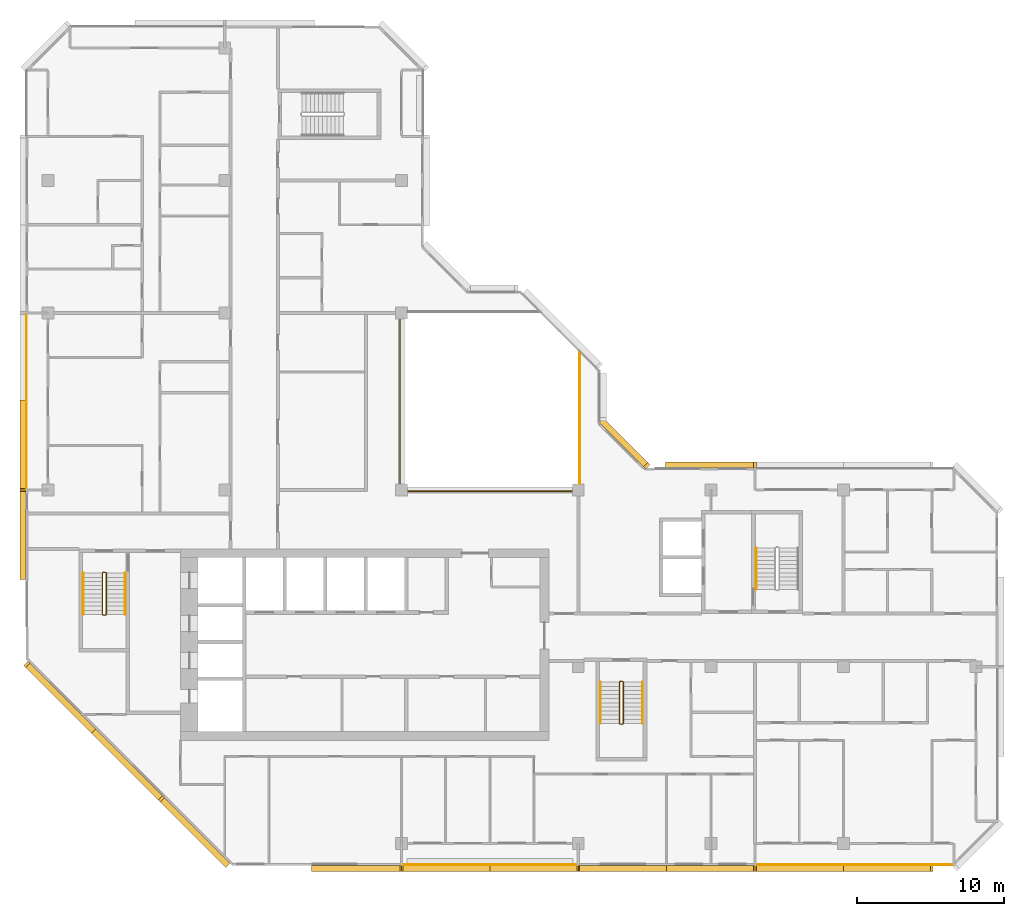
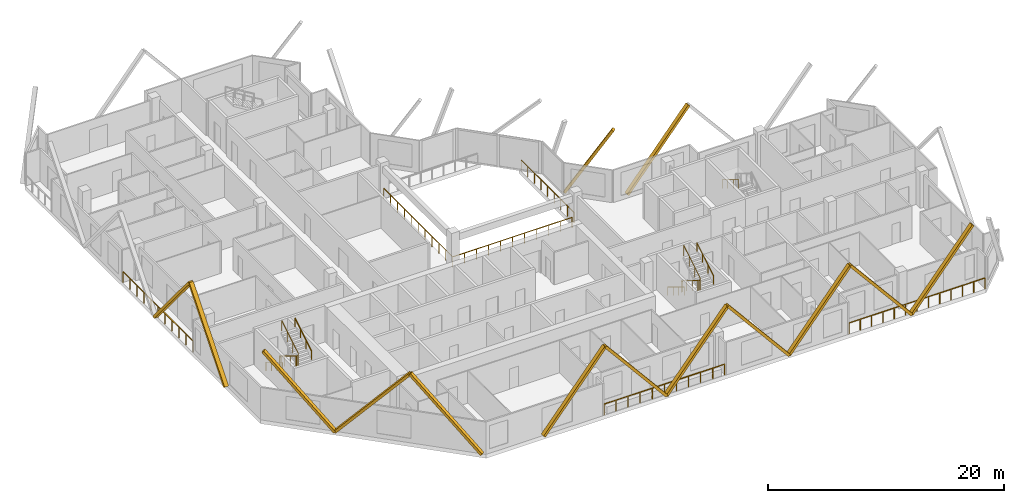
# One storey, part 12 of 13: 14 coverings, 12 railings.
"""IFC4 building model written with IfcOpenShell, lengths in metres."""

from ifc_helpers import new_model, si_unit, direction, frame, origin, origin_2d, place, context, subcontext, project, spatial, rectangle, extrude, material, material_profile, profile_set, type_object, element, save


model = new_model("IFC4")

# Units and contexts
model_context = context("Model", 3, precision=1e-05, world=origin(), true_north=direction((0.0, 1.0)))
body_context = subcontext(model_context, "Body", "Model", "MODEL_VIEW")
ifc_project = project(units=[si_unit("LENGTHUNIT", "METRE"), si_unit("AREAUNIT", "SQUARE_METRE"), si_unit("VOLUMEUNIT", "CUBIC_METRE"), si_unit("PLANEANGLEUNIT", "RADIAN"), si_unit("MASSUNIT", "GRAM", prefix="KILO")], contexts=[model_context])

# Site, building, storey
site_placement = place(None, origin())
site = spatial("IfcSite", under=ifc_project, at=site_placement, CompositionType="ELEMENT")
building_placement = place(site_placement, origin())
building = spatial("IfcBuilding", under=site, at=building_placement, Name="Chenar Terraces", CompositionType="ELEMENT")
storey_placement = place(building_placement, frame((0.0, 0.0, 288.39990234375)))
storey = spatial("IfcBuildingStorey", under=building, at=storey_placement, Name="L67", CompositionType="ELEMENT", Elevation=288.39990234375)

# Railings
ifc_material_1 = material(Name="Powder-coated steel", Category="steel")
railing_type_1 = type_object("IfcRailingType", Name="Guard 1100 steel rail with glass infill", PredefinedType="GUARDRAIL", material=ifc_material_1)
railing_1_placement = place(storey_placement, frame((23.89990234375, 35.60009765625, 0.0)))
element("IfcRailing", 1, at=railing_1_placement, inside=storey, type_object=railing_type_1, Name="Guard L67-1", PredefinedType="GUARDRAIL", context=body_context, shape_type="SweptSolid", body=[
    extrude(rectangle(XDim=0.06005859375, YDim=0.06005859375, at=origin_2d()), frame((0.0, 0.0, 1.070068359375), z_axis=(0.0, -1.0, 0.0), x_axis=(1.0, 0.0, 0.0)), (0.0, 0.0, 1.0), 11.7001953125),
    extrude(rectangle(XDim=0.06005859375, YDim=0.06005859375, at=origin_2d()), frame((0.0, -11.7001953125, 1.070068359375), z_axis=(1.0, 0.0, 0.0), x_axis=(0.0, 1.0, 0.0)), (0.0, 0.0, 1.0), 11.7001953125),
    extrude(rectangle(XDim=0.050048828125, YDim=0.050048828125, at=origin_2d()), origin(), (0.0, 0.0, 1.0), 1.0400390625),
    extrude(rectangle(XDim=0.050048828125, YDim=0.050048828125, at=origin_2d()), frame((0.0, -1.169921875, 0.0)), (0.0, 0.0, 1.0), 1.0400390625),
    extrude(rectangle(XDim=0.050048828125, YDim=0.050048828125, at=origin_2d()), frame((0.0, -2.340087890625, 0.0)), (0.0, 0.0, 1.0), 1.0400390625),
    extrude(rectangle(XDim=0.050048828125, YDim=0.050048828125, at=origin_2d()), frame((0.0, -3.510009765625, 0.0)), (0.0, 0.0, 1.0), 1.0400390625),
    extrude(rectangle(XDim=0.050048828125, YDim=0.050048828125, at=origin_2d()), frame((0.0, -4.68017578125, 0.0)), (0.0, 0.0, 1.0), 1.0400390625),
    extrude(rectangle(XDim=0.050048828125, YDim=0.050048828125, at=origin_2d()), frame((0.0, -5.85009765625, 0.0)), (0.0, 0.0, 1.0), 1.0400390625),
    extrude(rectangle(XDim=0.050048828125, YDim=0.050048828125, at=origin_2d()), frame((0.0, -7.02001953125, 0.0)), (0.0, 0.0, 1.0), 1.0400390625),
    extrude(rectangle(XDim=0.050048828125, YDim=0.050048828125, at=origin_2d()), frame((0.0, -8.190185546875, 0.0)), (0.0, 0.0, 1.0), 1.0400390625),
    extrude(rectangle(XDim=0.050048828125, YDim=0.050048828125, at=origin_2d()), frame((0.0, -9.360107421875, 0.0)), (0.0, 0.0, 1.0), 1.0400390625),
    extrude(rectangle(XDim=0.050048828125, YDim=0.050048828125, at=origin_2d()), frame((0.0, -10.5302734375, 0.0)), (0.0, 0.0, 1.0), 1.0400390625),
    extrude(rectangle(XDim=0.050048828125, YDim=0.050048828125, at=origin_2d()), frame((0.0, -11.7001953125, 0.0)), (0.0, 0.0, 1.0), 1.0400390625),
    extrude(rectangle(XDim=0.050048828125, YDim=0.050048828125, at=origin_2d()), frame((1.169921875, -11.7001953125, 0.0)), (0.0, 0.0, 1.0), 1.0400390625),
    extrude(rectangle(XDim=0.050048828125, YDim=0.050048828125, at=origin_2d()), frame((2.340087890625, -11.7001953125, 0.0)), (0.0, 0.0, 1.0), 1.0400390625),
    extrude(rectangle(XDim=0.050048828125, YDim=0.050048828125, at=origin_2d()), frame((3.510009765625, -11.7001953125, 0.0)), (0.0, 0.0, 1.0), 1.0400390625),
    extrude(rectangle(XDim=0.050048828125, YDim=0.050048828125, at=origin_2d()), frame((4.68017578125, -11.7001953125, 0.0)), (0.0, 0.0, 1.0), 1.0400390625),
    extrude(rectangle(XDim=0.050048828125, YDim=0.050048828125, at=origin_2d()), frame((5.85009765625, -11.7001953125, 0.0)), (0.0, 0.0, 1.0), 1.0400390625),
    extrude(rectangle(XDim=0.050048828125, YDim=0.050048828125, at=origin_2d()), frame((7.02001953125, -11.7001953125, 0.0)), (0.0, 0.0, 1.0), 1.0400390625),
    extrude(rectangle(XDim=0.050048828125, YDim=0.050048828125, at=origin_2d()), frame((8.190185546875, -11.7001953125, 0.0)), (0.0, 0.0, 1.0), 1.0400390625),
    extrude(rectangle(XDim=0.050048828125, YDim=0.050048828125, at=origin_2d()), frame((9.360107421875, -11.7001953125, 0.0)), (0.0, 0.0, 1.0), 1.0400390625),
    extrude(rectangle(XDim=0.050048828125, YDim=0.050048828125, at=origin_2d()), frame((10.5302734375, -11.7001953125, 0.0)), (0.0, 0.0, 1.0), 1.0400390625),
    extrude(rectangle(XDim=0.050048828125, YDim=0.050048828125, at=origin_2d()), frame((11.7001953125, -11.7001953125, 0.0)), (0.0, 0.0, 1.0), 1.0400390625),
])
railing_2_placement = place(storey_placement, frame((36.10009765625, 24.449951171875, 0.0)))
element("IfcRailing", 2, at=railing_2_placement, inside=storey, type_object=railing_type_1, Name="Guard L67-3", PredefinedType="GUARDRAIL", context=body_context, shape_type="SweptSolid", body=[
    extrude(rectangle(XDim=0.06005859375, YDim=0.06005859375, at=origin_2d()), frame((0.0, 0.0, 1.070068359375), z_axis=(0.0, 1.0, 0.0), x_axis=(-1.0, 0.0, 0.0)), (0.0, 0.0, 1.0), 8.949951171875),
    extrude(rectangle(XDim=0.050048828125, YDim=0.050048828125, at=origin_2d()), origin(), (0.0, 0.0, 1.0), 1.0400390625),
    extrude(rectangle(XDim=0.050048828125, YDim=0.050048828125, at=origin_2d()), frame((0.0, 1.11865234375, 0.0)), (0.0, 0.0, 1.0), 1.0400390625),
    extrude(rectangle(XDim=0.050048828125, YDim=0.050048828125, at=origin_2d()), frame((0.0, 2.237548828125, 0.0)), (0.0, 0.0, 1.0), 1.0400390625),
    extrude(rectangle(XDim=0.050048828125, YDim=0.050048828125, at=origin_2d()), frame((0.0, 3.356201171875, 0.0)), (0.0, 0.0, 1.0), 1.0400390625),
    extrude(rectangle(XDim=0.050048828125, YDim=0.050048828125, at=origin_2d()), frame((0.0, 4.47509765625, 0.0)), (0.0, 0.0, 1.0), 1.0400390625),
    extrude(rectangle(XDim=0.050048828125, YDim=0.050048828125, at=origin_2d()), frame((0.0, 5.59375, 0.0)), (0.0, 0.0, 1.0), 1.0400390625),
    extrude(rectangle(XDim=0.050048828125, YDim=0.050048828125, at=origin_2d()), frame((0.0, 6.71240234375, 0.0)), (0.0, 0.0, 1.0), 1.0400390625),
    extrude(rectangle(XDim=0.050048828125, YDim=0.050048828125, at=origin_2d()), frame((0.0, 7.831298828125, 0.0)), (0.0, 0.0, 1.0), 1.0400390625),
    extrude(rectangle(XDim=0.050048828125, YDim=0.050048828125, at=origin_2d()), frame((0.0, 8.949951171875, 0.0)), (0.0, 0.0, 1.0), 1.0400390625),
])
ifc_material_2 = material(Name="Stainless steel and glass", Category="steel")
railing_type_2 = type_object("IfcRailingType", Name="Loggia guard 1150", PredefinedType="GUARDRAIL", material=ifc_material_2)
railing_3_placement = place(storey_placement, frame((24.074951171875, -1.449951171875, 0.0)))
element("IfcRailing", 3, at=railing_3_placement, inside=storey, type_object=railing_type_2, Name="Loggia guard", PredefinedType="GUARDRAIL", context=body_context, shape_type="SweptSolid", body=[
    extrude(rectangle(XDim=0.048095703125, YDim=0.048095703125, at=origin_2d()), frame((0.0, 0.0, 1.1259765625), z_axis=(1.0, 0.0, 0.0), x_axis=(0.0, 1.0, 0.0)), (0.0, 0.0, 1.0), 11.85009765625),
    extrude(rectangle(XDim=0.0419921875, YDim=0.0419921875, at=origin_2d()), origin(), (0.0, 0.0, 1.0), 1.101806640625),
    extrude(rectangle(XDim=0.0419921875, YDim=0.0419921875, at=origin_2d()), frame((1.18505859375, 0.0, 0.0)), (0.0, 0.0, 1.0), 1.101806640625),
    extrude(rectangle(XDim=0.0419921875, YDim=0.0419921875, at=origin_2d()), frame((2.3701171875, 0.0, 0.0)), (0.0, 0.0, 1.0), 1.101806640625),
    extrude(rectangle(XDim=0.0419921875, YDim=0.0419921875, at=origin_2d()), frame((3.554931640625, 0.0, 0.0)), (0.0, 0.0, 1.0), 1.101806640625),
    extrude(rectangle(XDim=0.0419921875, YDim=0.0419921875, at=origin_2d()), frame((4.739990234375, 0.0, 0.0)), (0.0, 0.0, 1.0), 1.101806640625),
    extrude(rectangle(XDim=0.0419921875, YDim=0.0419921875, at=origin_2d()), frame((5.925048828125, 0.0, 0.0)), (0.0, 0.0, 1.0), 1.101806640625),
    extrude(rectangle(XDim=0.0419921875, YDim=0.0419921875, at=origin_2d()), frame((7.110107421875, 0.0, 0.0)), (0.0, 0.0, 1.0), 1.101806640625),
    extrude(rectangle(XDim=0.0419921875, YDim=0.0419921875, at=origin_2d()), frame((8.295166015625, 0.0, 0.0)), (0.0, 0.0, 1.0), 1.101806640625),
    extrude(rectangle(XDim=0.0419921875, YDim=0.0419921875, at=origin_2d()), frame((9.47998046875, 0.0, 0.0)), (0.0, 0.0, 1.0), 1.101806640625),
    extrude(rectangle(XDim=0.0419921875, YDim=0.0419921875, at=origin_2d()), frame((10.6650390625, 0.0, 0.0)), (0.0, 0.0, 1.0), 1.101806640625),
    extrude(rectangle(XDim=0.0419921875, YDim=0.0419921875, at=origin_2d()), frame((11.85009765625, 0.0, 0.0)), (0.0, 0.0, 1.0), 1.101806640625),
])
railing_4_placement = place(storey_placement, frame((48.074951171875, -1.449951171875, 0.0)))
element("IfcRailing", 4, at=railing_4_placement, inside=storey, type_object=railing_type_2, Name="Loggia guard", PredefinedType="GUARDRAIL", context=body_context, shape_type="SweptSolid", body=[
    extrude(rectangle(XDim=0.048095703125, YDim=0.048095703125, at=origin_2d()), frame((0.0, 0.0, 1.1259765625), z_axis=(1.0, 0.0, 0.0), x_axis=(0.0, 1.0, 0.0)), (0.0, 0.0, 1.0), 13.35009765625),
    extrude(rectangle(XDim=0.0419921875, YDim=0.0419921875, at=origin_2d()), origin(), (0.0, 0.0, 1.0), 1.101806640625),
    extrude(rectangle(XDim=0.0419921875, YDim=0.0419921875, at=origin_2d()), frame((1.112548828125, 0.0, 0.0)), (0.0, 0.0, 1.0), 1.101806640625),
    extrude(rectangle(XDim=0.0419921875, YDim=0.0419921875, at=origin_2d()), frame((2.22509765625, 0.0, 0.0)), (0.0, 0.0, 1.0), 1.101806640625),
    extrude(rectangle(XDim=0.0419921875, YDim=0.0419921875, at=origin_2d()), frame((3.33740234375, 0.0, 0.0)), (0.0, 0.0, 1.0), 1.101806640625),
    extrude(rectangle(XDim=0.0419921875, YDim=0.0419921875, at=origin_2d()), frame((4.449951171875, 0.0, 0.0)), (0.0, 0.0, 1.0), 1.101806640625),
    extrude(rectangle(XDim=0.0419921875, YDim=0.0419921875, at=origin_2d()), frame((5.5625, 0.0, 0.0)), (0.0, 0.0, 1.0), 1.101806640625),
    extrude(rectangle(XDim=0.0419921875, YDim=0.0419921875, at=origin_2d()), frame((6.675048828125, 0.0, 0.0)), (0.0, 0.0, 1.0), 1.101806640625),
    extrude(rectangle(XDim=0.0419921875, YDim=0.0419921875, at=origin_2d()), frame((7.78759765625, 0.0, 0.0)), (0.0, 0.0, 1.0), 1.101806640625),
    extrude(rectangle(XDim=0.0419921875, YDim=0.0419921875, at=origin_2d()), frame((8.900146484375, 0.0, 0.0)), (0.0, 0.0, 1.0), 1.101806640625),
    extrude(rectangle(XDim=0.0419921875, YDim=0.0419921875, at=origin_2d()), frame((10.0126953125, 0.0, 0.0)), (0.0, 0.0, 1.0), 1.101806640625),
    extrude(rectangle(XDim=0.0419921875, YDim=0.0419921875, at=origin_2d()), frame((11.125, 0.0, 0.0)), (0.0, 0.0, 1.0), 1.101806640625),
    extrude(rectangle(XDim=0.0419921875, YDim=0.0419921875, at=origin_2d()), frame((12.237548828125, 0.0, 0.0)), (0.0, 0.0, 1.0), 1.101806640625),
    extrude(rectangle(XDim=0.0419921875, YDim=0.0419921875, at=origin_2d()), frame((13.35009765625, 0.0, 0.0)), (0.0, 0.0, 1.0), 1.101806640625),
])
railing_5_placement = place(storey_placement, frame((-1.449951171875, 35.925048828125, 0.0)))
element("IfcRailing", 5, at=railing_5_placement, inside=storey, type_object=railing_type_2, Name="Loggia guard", PredefinedType="GUARDRAIL", context=body_context, shape_type="SweptSolid", body=[
    extrude(rectangle(XDim=0.048095703125, YDim=0.048095703125, at=origin_2d()), frame((0.0, 0.0, 1.1259765625), z_axis=(0.0, -1.0, 0.0), x_axis=(1.0, 0.0, 0.0)), (0.0, 0.0, 1.0), 11.85009765625),
    extrude(rectangle(XDim=0.0419921875, YDim=0.0419921875, at=origin_2d()), origin(), (0.0, 0.0, 1.0), 1.101806640625),
    extrude(rectangle(XDim=0.0419921875, YDim=0.0419921875, at=origin_2d()), frame((0.0, -1.18505859375, 0.0)), (0.0, 0.0, 1.0), 1.101806640625),
    extrude(rectangle(XDim=0.0419921875, YDim=0.0419921875, at=origin_2d()), frame((0.0, -2.3701171875, 0.0)), (0.0, 0.0, 1.0), 1.101806640625),
    extrude(rectangle(XDim=0.0419921875, YDim=0.0419921875, at=origin_2d()), frame((0.0, -3.554931640625, 0.0)), (0.0, 0.0, 1.0), 1.101806640625),
    extrude(rectangle(XDim=0.0419921875, YDim=0.0419921875, at=origin_2d()), frame((0.0, -4.739990234375, 0.0)), (0.0, 0.0, 1.0), 1.101806640625),
    extrude(rectangle(XDim=0.0419921875, YDim=0.0419921875, at=origin_2d()), frame((0.0, -5.925048828125, 0.0)), (0.0, 0.0, 1.0), 1.101806640625),
    extrude(rectangle(XDim=0.0419921875, YDim=0.0419921875, at=origin_2d()), frame((0.0, -7.110107421875, 0.0)), (0.0, 0.0, 1.0), 1.101806640625),
    extrude(rectangle(XDim=0.0419921875, YDim=0.0419921875, at=origin_2d()), frame((0.0, -8.295166015625, 0.0)), (0.0, 0.0, 1.0), 1.101806640625),
    extrude(rectangle(XDim=0.0419921875, YDim=0.0419921875, at=origin_2d()), frame((0.0, -9.47998046875, 0.0)), (0.0, 0.0, 1.0), 1.101806640625),
    extrude(rectangle(XDim=0.0419921875, YDim=0.0419921875, at=origin_2d()), frame((0.0, -10.6650390625, 0.0)), (0.0, 0.0, 1.0), 1.101806640625),
    extrude(rectangle(XDim=0.0419921875, YDim=0.0419921875, at=origin_2d()), frame((0.0, -11.85009765625, 0.0)), (0.0, 0.0, 1.0), 1.101806640625),
])
ifc_material_3 = material(Name="Powder-coated steel", Category="steel")
railing_type_3 = type_object("IfcRailingType", Name="Stair guard 1100", PredefinedType="GUARDRAIL", material=ifc_material_3)
railing_6_placement = place(storey_placement, frame((3.949951171875, 18.35009765625, 3.75)))
element("IfcRailing", 6, at=railing_6_placement, inside=storey, type_object=railing_type_3, Name="L67 ST1 stair guard 1", PredefinedType="GUARDRAIL", context=body_context, shape_type="SweptSolid", body=[
    extrude(rectangle(XDim=0.048095703125, YDim=0.048095703125, at=origin_2d()), frame((0.0, 0.0, 1.076171875), z_axis=(0.0, -0.854202870247, -0.519939858505), x_axis=(1.0, 0.0, 0.0)), (0.0, 0.0, 1.0), 3.278076171875),
    extrude(rectangle(XDim=0.048095703125, YDim=0.048095703125, at=origin_2d()), frame((0.0, -2.800048828125, -0.62841796875), z_axis=(-0.270899902878, -0.270899902878, -0.923702595667), x_axis=(0.707106781187, -0.707106781187, 0.0)), (0.0, 0.0, 1.0), 0.184814453125),
    extrude(rectangle(XDim=0.048095703125, YDim=0.048095703125, at=origin_2d()), frame((-0.050048828125, -2.85009765625, -0.798828125), z_axis=(-1.0, 0.0, 0.0), x_axis=(0.0, -1.0, 0.0)), (0.0, 0.0, 1.0), 0.14990234375),
    extrude(rectangle(XDim=0.048095703125, YDim=0.048095703125, at=origin_2d()), frame((-0.199951171875, -2.85009765625, -0.798828125), z_axis=(-0.707106781187, 0.707106781187, 0.0), x_axis=(-0.707106781187, -0.707106781187, 0.0)), (0.0, 0.0, 1.0), 0.07080078125),
    extrude(rectangle(XDim=0.048095703125, YDim=0.048095703125, at=origin_2d()), frame((-0.25, -2.800048828125, -0.798828125), z_axis=(0.0, 0.854202870247, -0.519939858505), x_axis=(-1.0, 0.0, 0.0)), (0.0, 0.0, 1.0), 3.278076171875),
    extrude(rectangle(XDim=0.048095703125, YDim=0.048095703125, at=origin_2d()), frame((-0.25, 0.0, -2.50341796875), z_axis=(0.270996696079, 0.269674760976, -0.924032636873), x_axis=(-0.705375805398, 0.708833529934, 0.0)), (0.0, 0.0, 1.0), 0.1845703125),
    extrude(rectangle(XDim=0.048095703125, YDim=0.048095703125, at=origin_2d()), frame((-0.199951171875, 0.0498046875, -2.673828125), z_axis=(1.0, 0.0, 0.0), x_axis=(0.0, 1.0, 0.0)), (0.0, 0.0, 1.0), 0.14990234375),
    extrude(rectangle(XDim=0.0419921875, YDim=0.0419921875, at=origin_2d()), origin(), (0.0, 0.0, 1.0), 1.052001953125),
    extrude(rectangle(XDim=0.0419921875, YDim=0.0419921875, at=origin_2d()), frame((0.0, -0.933349609375, -0.568115234375)), (0.0, 0.0, 1.0), 1.052001953125),
    extrude(rectangle(XDim=0.0419921875, YDim=0.0419921875, at=origin_2d()), frame((0.0, -1.86669921875, -1.13623046875)), (0.0, 0.0, 1.0), 1.052001953125),
    extrude(rectangle(XDim=0.0419921875, YDim=0.0419921875, at=origin_2d()), frame((0.0, -2.800048828125, -1.704345703125)), (0.0, 0.0, 1.0), 1.052001953125),
    extrude(rectangle(XDim=0.0419921875, YDim=0.0419921875, at=origin_2d()), frame((-0.050048828125, -2.85009765625, -1.875)), (0.0, 0.0, 1.0), 1.052001953125),
    extrude(rectangle(XDim=0.0419921875, YDim=0.0419921875, at=origin_2d()), frame((-0.199951171875, -2.85009765625, -1.875)), (0.0, 0.0, 1.0), 1.052001953125),
    extrude(rectangle(XDim=0.0419921875, YDim=0.0419921875, at=origin_2d()), frame((-0.25, -2.800048828125, -1.875)), (0.0, 0.0, 1.0), 1.052001953125),
    extrude(rectangle(XDim=0.0419921875, YDim=0.0419921875, at=origin_2d()), frame((-0.25, -1.86669921875, -2.443115234375)), (0.0, 0.0, 1.0), 1.052001953125),
    extrude(rectangle(XDim=0.0419921875, YDim=0.0419921875, at=origin_2d()), frame((-0.25, -0.933349609375, -3.01123046875)), (0.0, 0.0, 1.0), 1.052001953125),
    extrude(rectangle(XDim=0.0419921875, YDim=0.0419921875, at=origin_2d()), frame((-0.25, 0.0, -3.579345703125)), (0.0, 0.0, 1.0), 1.052001953125),
    extrude(rectangle(XDim=0.0419921875, YDim=0.0419921875, at=origin_2d()), frame((-0.199951171875, 0.0498046875, -3.75)), (0.0, 0.0, 1.0), 1.052001953125),
    extrude(rectangle(XDim=0.0419921875, YDim=0.0419921875, at=origin_2d()), frame((-0.050048828125, 0.0498046875, -3.75)), (0.0, 0.0, 1.0), 1.052001953125),
])
railing_7_placement = place(storey_placement, frame((39.050048828125, 10.949951171875, 3.75)))
element("IfcRailing", 7, at=railing_7_placement, inside=storey, type_object=railing_type_3, Name="L67 ST2 stair guard 1", PredefinedType="GUARDRAIL", context=body_context, shape_type="SweptSolid", body=[
    extrude(rectangle(XDim=0.048095703125, YDim=0.048095703125, at=origin_2d()), frame((0.0, 0.0, 1.076171875), z_axis=(0.0, -0.854202870247, -0.519939858505), x_axis=(1.0, 0.0, 0.0)), (0.0, 0.0, 1.0), 3.278076171875),
    extrude(rectangle(XDim=0.048095703125, YDim=0.048095703125, at=origin_2d()), frame((0.0, -2.800048828125, -0.62841796875), z_axis=(-0.270996696079, -0.269674760976, -0.924032636873), x_axis=(0.705375805398, -0.708833529934, 0.0)), (0.0, 0.0, 1.0), 0.1845703125),
    extrude(rectangle(XDim=0.048095703125, YDim=0.048095703125, at=origin_2d()), frame((-0.050048828125, -2.849853515625, -0.798828125), z_axis=(-1.0, 0.0, 0.0), x_axis=(0.0, -1.0, 0.0)), (0.0, 0.0, 1.0), 0.14990234375),
    extrude(rectangle(XDim=0.048095703125, YDim=0.048095703125, at=origin_2d()), frame((-0.199951171875, -2.849853515625, -0.798828125), z_axis=(-0.708833529934, 0.705375805398, 0.0), x_axis=(-0.705375805398, -0.708833529934, 0.0)), (0.0, 0.0, 1.0), 0.070556640625),
    extrude(rectangle(XDim=0.048095703125, YDim=0.048095703125, at=origin_2d()), frame((-0.25, -2.800048828125, -0.798828125), z_axis=(0.0, 0.854202870247, -0.519939858505), x_axis=(-1.0, 0.0, 0.0)), (0.0, 0.0, 1.0), 3.278076171875),
    extrude(rectangle(XDim=0.048095703125, YDim=0.048095703125, at=origin_2d()), frame((-0.25, 0.0, -2.50341796875), z_axis=(0.270899902878, 0.270899902878, -0.923702595667), x_axis=(-0.707106781187, 0.707106781187, 0.0)), (0.0, 0.0, 1.0), 0.184814453125),
    extrude(rectangle(XDim=0.048095703125, YDim=0.048095703125, at=origin_2d()), frame((-0.199951171875, 0.050048828125, -2.673828125), z_axis=(1.0, 0.0, 0.0), x_axis=(0.0, 1.0, 0.0)), (0.0, 0.0, 1.0), 0.14990234375),
    extrude(rectangle(XDim=0.0419921875, YDim=0.0419921875, at=origin_2d()), origin(), (0.0, 0.0, 1.0), 1.052001953125),
    extrude(rectangle(XDim=0.0419921875, YDim=0.0419921875, at=origin_2d()), frame((0.0, -0.933349609375, -0.568115234375)), (0.0, 0.0, 1.0), 1.052001953125),
    extrude(rectangle(XDim=0.0419921875, YDim=0.0419921875, at=origin_2d()), frame((0.0, -1.86669921875, -1.13623046875)), (0.0, 0.0, 1.0), 1.052001953125),
    extrude(rectangle(XDim=0.0419921875, YDim=0.0419921875, at=origin_2d()), frame((0.0, -2.800048828125, -1.704345703125)), (0.0, 0.0, 1.0), 1.052001953125),
    extrude(rectangle(XDim=0.0419921875, YDim=0.0419921875, at=origin_2d()), frame((-0.050048828125, -2.849853515625, -1.875)), (0.0, 0.0, 1.0), 1.052001953125),
    extrude(rectangle(XDim=0.0419921875, YDim=0.0419921875, at=origin_2d()), frame((-0.199951171875, -2.849853515625, -1.875)), (0.0, 0.0, 1.0), 1.052001953125),
    extrude(rectangle(XDim=0.0419921875, YDim=0.0419921875, at=origin_2d()), frame((-0.25, -2.800048828125, -1.875)), (0.0, 0.0, 1.0), 1.052001953125),
    extrude(rectangle(XDim=0.0419921875, YDim=0.0419921875, at=origin_2d()), frame((-0.25, -1.86669921875, -2.443115234375)), (0.0, 0.0, 1.0), 1.052001953125),
    extrude(rectangle(XDim=0.0419921875, YDim=0.0419921875, at=origin_2d()), frame((-0.25, -0.933349609375, -3.01123046875)), (0.0, 0.0, 1.0), 1.052001953125),
    extrude(rectangle(XDim=0.0419921875, YDim=0.0419921875, at=origin_2d()), frame((-0.25, 0.0, -3.579345703125)), (0.0, 0.0, 1.0), 1.052001953125),
    extrude(rectangle(XDim=0.0419921875, YDim=0.0419921875, at=origin_2d()), frame((-0.199951171875, 0.050048828125, -3.75)), (0.0, 0.0, 1.0), 1.052001953125),
    extrude(rectangle(XDim=0.0419921875, YDim=0.0419921875, at=origin_2d()), frame((-0.050048828125, 0.050048828125, -3.75)), (0.0, 0.0, 1.0), 1.052001953125),
])
ifc_material_4 = material(Name="Powder-coated steel", Category="steel")
railing_type_4 = type_object("IfcRailingType", Name="Stair handrail 900", PredefinedType="HANDRAIL", material=ifc_material_4)
railing_8_placement = place(storey_placement, frame((2.39990234375, 18.35009765625, 0.170654296875)))
element("IfcRailing", 8, at=railing_8_placement, inside=storey, type_object=railing_type_4, Name="L67 ST1 stair handrail 1", PredefinedType="HANDRAIL", context=body_context, shape_type="SweptSolid", body=[
    extrude(rectangle(XDim=0.048095703125, YDim=0.048095703125, at=origin_2d()), frame((0.0, 0.0, 0.8759765625), z_axis=(0.0, -0.854202870247, 0.519939858505), x_axis=(1.0, 0.0, 0.0)), (0.0, 0.0, 1.0), 3.278076171875),
    extrude(rectangle(XDim=0.0419921875, YDim=0.0419921875, at=origin_2d()), origin(), (0.0, 0.0, 1.0), 0.851806640625),
    extrude(rectangle(XDim=0.0419921875, YDim=0.0419921875, at=origin_2d()), frame((0.0, -0.933349609375, 0.568115234375)), (0.0, 0.0, 1.0), 0.851806640625),
    extrude(rectangle(XDim=0.0419921875, YDim=0.0419921875, at=origin_2d()), frame((0.0, -1.86669921875, 1.13623046875)), (0.0, 0.0, 1.0), 0.851806640625),
    extrude(rectangle(XDim=0.0419921875, YDim=0.0419921875, at=origin_2d()), frame((0.0, -2.800048828125, 1.704345703125)), (0.0, 0.0, 1.0), 0.851806640625),
])
railing_9_placement = place(storey_placement, frame((5.25, 15.550048828125, 2.045654296875)))
element("IfcRailing", 9, at=railing_9_placement, inside=storey, type_object=railing_type_4, Name="L67 ST1 stair handrail 2", PredefinedType="HANDRAIL", context=body_context, shape_type="SweptSolid", body=[
    extrude(rectangle(XDim=0.048095703125, YDim=0.048095703125, at=origin_2d()), frame((0.0, 0.0, 0.8759765625), z_axis=(0.0, 0.854202870247, 0.519939858505), x_axis=(-1.0, 0.0, 0.0)), (0.0, 0.0, 1.0), 3.278076171875),
    extrude(rectangle(XDim=0.0419921875, YDim=0.0419921875, at=origin_2d()), origin(), (0.0, 0.0, 1.0), 0.851806640625),
    extrude(rectangle(XDim=0.0419921875, YDim=0.0419921875, at=origin_2d()), frame((0.0, 0.933349609375, 0.568115234375)), (0.0, 0.0, 1.0), 0.851806640625),
    extrude(rectangle(XDim=0.0419921875, YDim=0.0419921875, at=origin_2d()), frame((0.0, 1.86669921875, 1.13623046875)), (0.0, 0.0, 1.0), 0.851806640625),
    extrude(rectangle(XDim=0.0419921875, YDim=0.0419921875, at=origin_2d()), frame((0.0, 2.800048828125, 1.704345703125)), (0.0, 0.0, 1.0), 0.851806640625),
])
railing_10_placement = place(storey_placement, frame((37.5, 10.949951171875, 0.170654296875)))
element("IfcRailing", 10, at=railing_10_placement, inside=storey, type_object=railing_type_4, Name="L67 ST2 stair handrail 1", PredefinedType="HANDRAIL", context=body_context, shape_type="SweptSolid", body=[
    extrude(rectangle(XDim=0.048095703125, YDim=0.048095703125, at=origin_2d()), frame((0.0, 0.0, 0.8759765625), z_axis=(0.0, -0.854202870247, 0.519939858505), x_axis=(1.0, 0.0, 0.0)), (0.0, 0.0, 1.0), 3.278076171875),
    extrude(rectangle(XDim=0.0419921875, YDim=0.0419921875, at=origin_2d()), origin(), (0.0, 0.0, 1.0), 0.851806640625),
    extrude(rectangle(XDim=0.0419921875, YDim=0.0419921875, at=origin_2d()), frame((0.0, -0.933349609375, 0.568115234375)), (0.0, 0.0, 1.0), 0.851806640625),
    extrude(rectangle(XDim=0.0419921875, YDim=0.0419921875, at=origin_2d()), frame((0.0, -1.86669921875, 1.13623046875)), (0.0, 0.0, 1.0), 0.851806640625),
    extrude(rectangle(XDim=0.0419921875, YDim=0.0419921875, at=origin_2d()), frame((0.0, -2.800048828125, 1.704345703125)), (0.0, 0.0, 1.0), 0.851806640625),
])
railing_11_placement = place(storey_placement, frame((40.35009765625, 8.14990234375, 2.045654296875)))
element("IfcRailing", 11, at=railing_11_placement, inside=storey, type_object=railing_type_4, Name="L67 ST2 stair handrail 2", PredefinedType="HANDRAIL", context=body_context, shape_type="SweptSolid", body=[
    extrude(rectangle(XDim=0.048095703125, YDim=0.048095703125, at=origin_2d()), frame((0.0, 0.0, 0.8759765625), z_axis=(0.0, 0.854202870247, 0.519939858505), x_axis=(-1.0, 0.0, 0.0)), (0.0, 0.0, 1.0), 3.278076171875),
    extrude(rectangle(XDim=0.0419921875, YDim=0.0419921875, at=origin_2d()), origin(), (0.0, 0.0, 1.0), 0.851806640625),
    extrude(rectangle(XDim=0.0419921875, YDim=0.0419921875, at=origin_2d()), frame((0.0, 0.933349609375, 0.568115234375)), (0.0, 0.0, 1.0), 0.851806640625),
    extrude(rectangle(XDim=0.0419921875, YDim=0.0419921875, at=origin_2d()), frame((0.0, 1.86669921875, 1.13623046875)), (0.0, 0.0, 1.0), 0.851806640625),
    extrude(rectangle(XDim=0.0419921875, YDim=0.0419921875, at=origin_2d()), frame((0.0, 2.800048828125, 1.704345703125)), (0.0, 0.0, 1.0), 0.851806640625),
])
railing_12_placement = place(storey_placement, frame((48.074951171875, 20.050048828125, 2.045654296875)))
element("IfcRailing", 12, at=railing_12_placement, inside=storey, type_object=railing_type_4, Name="L67 ST3 stair handrail 2", PredefinedType="HANDRAIL", context=body_context, shape_type="SweptSolid", body=[
    extrude(rectangle(XDim=0.048095703125, YDim=0.048095703125, at=origin_2d()), frame((0.0, 0.0, 0.8759765625), z_axis=(0.0, -0.854202870247, 0.519939858505), x_axis=(1.0, 0.0, 0.0)), (0.0, 0.0, 1.0), 3.278076171875),
    extrude(rectangle(XDim=0.0419921875, YDim=0.0419921875, at=origin_2d()), origin(), (0.0, 0.0, 1.0), 0.851806640625),
    extrude(rectangle(XDim=0.0419921875, YDim=0.0419921875, at=origin_2d()), frame((0.0, -0.933349609375, 0.568115234375)), (0.0, 0.0, 1.0), 0.851806640625),
    extrude(rectangle(XDim=0.0419921875, YDim=0.0419921875, at=origin_2d()), frame((0.0, -1.86669921875, 1.13623046875)), (0.0, 0.0, 1.0), 0.851806640625),
    extrude(rectangle(XDim=0.0419921875, YDim=0.0419921875, at=origin_2d()), frame((0.0, -2.800048828125, 1.704345703125)), (0.0, 0.0, 1.0), 0.851806640625),
])

# Coverings
ifc_material_5 = material(Name="Terracotta", Category="masonry")
ifc_material_profile = material_profile(ifc_material_5, rectangle(XDim=0.39990234375, YDim=0.25, at=origin_2d()), Name="Terracotta baguette 400 x 250")
ifc_profile_set = profile_set([ifc_material_profile], Name="Terracotta")
covering_type = type_object("IfcCoveringType", Name="Terracotta baguette 400 x 250", PredefinedType="CLADDING", material=ifc_profile_set)
covering_1_placement = place(storey_placement, frame((48.0, 25.699951171875, 7.35009765625), z_axis=(-0.640186961885, 0.0, -0.768219144407), x_axis=(0.0, -1.0, 0.0)))
element("IfcCovering", 13, at=covering_1_placement, inside=storey, type_object=covering_type, Name="Terracotta baguette", PredefinedType="CLADDING", context=body_context, shape_type="SweptSolid", body=[
    extrude(rectangle(XDim=0.39990234375, YDim=0.25, at=origin_2d()), origin(), (0.0, 0.0, 1.0), 9.372314453125),
])
covering_2_placement = place(storey_placement, frame((40.641357421875, 25.641357421875, 7.35009765625), z_axis=(-0.358980886355, 0.358980886355, -0.861548284464), x_axis=(-0.707106781187, -0.707106781187, 0.0)))
element("IfcCovering", 14, at=covering_2_placement, inside=storey, type_object=covering_type, Name="Terracotta baguette", PredefinedType="CLADDING", context=body_context, shape_type="SweptSolid", body=[
    extrude(rectangle(XDim=0.39990234375, YDim=0.25, at=origin_2d()), origin(), (0.0, 0.0, 1.0), 8.35693359375),
])
for number, where, z_axis, x_axis, name in (
    (15, (-1.699951171875, 30.0, 0.150146484375), (0.0, -0.640186961885, 0.768219144407), (1.0, 0.0, 0.0), "Terracotta baguette"),
    (16, (-1.699951171875, 24.0, 7.35009765625), (0.0, -0.640186961885, -0.768219144407), (1.0, 0.0, 0.0), "Terracotta baguette"),
):
    element("IfcCovering", number, at=place(storey_placement, frame(where, z_axis=z_axis, x_axis=x_axis)), inside=storey, type_object=covering_type, Name=name, PredefinedType="CLADDING", context=body_context, shape_type="SweptSolid", body=[
        extrude(rectangle(XDim=0.39990234375, YDim=0.25, at=origin_2d()), origin(), (0.0, 0.0, 1.0), 9.372314453125),
    ])
covering_3_placement = place(storey_placement, frame((-1.42919921875, 12.146484375, 7.35009765625), z_axis=(0.465604048687, -0.46562956823, -0.752596821038), x_axis=(0.707126158488, 0.707087403354, 0.0)))
element("IfcCovering", 17, at=covering_3_placement, inside=storey, type_object=covering_type, Name="Terracotta baguette", PredefinedType="CLADDING", context=body_context, shape_type="SweptSolid", body=[
    extrude(rectangle(XDim=0.39990234375, YDim=0.25, at=origin_2d()), origin(), (0.0, 0.0, 1.0), 9.56689453125),
])
covering_4_placement = place(storey_placement, frame((3.025146484375, 7.69189453125, 0.150146484375), z_axis=(0.477802509271, -0.477802509271, 0.73716315987), x_axis=(0.707106781187, 0.707106781187, 0.0)))
element("IfcCovering", 18, at=covering_4_placement, inside=storey, type_object=covering_type, Name="Terracotta baguette", PredefinedType="CLADDING", context=body_context, shape_type="SweptSolid", body=[
    extrude(rectangle(XDim=0.39990234375, YDim=0.25, at=origin_2d()), origin(), (0.0, 0.0, 1.0), 9.76708984375),
])
covering_5_placement = place(storey_placement, frame((7.69189453125, 3.025146484375, 7.35009765625), z_axis=(0.46562956823, -0.465604048687, -0.752596821038), x_axis=(0.707087403354, 0.707126158488, 0.0)))
element("IfcCovering", 19, at=covering_5_placement, inside=storey, type_object=covering_type, Name="Terracotta baguette", PredefinedType="CLADDING", context=body_context, shape_type="SweptSolid", body=[
    extrude(rectangle(XDim=0.39990234375, YDim=0.25, at=origin_2d()), origin(), (0.0, 0.0, 1.0), 9.56689453125),
])
for number, where, z_axis, x_axis, name in (
    (20, (18.0, -1.699951171875, 0.150146484375), (0.640186961885, 0.0, 0.768219144407), (0.0, 1.0, 0.0), "Terracotta baguette"),
    (21, (24.0, -1.699951171875, 7.35009765625), (0.640186961885, 0.0, -0.768219144407), (0.0, 1.0, 0.0), "Terracotta baguette"),
    (22, (30.0, -1.699951171875, 0.150146484375), (0.640186961885, 0.0, 0.768219144407), (0.0, 1.0, 0.0), "Terracotta baguette"),
    (23, (36.0, -1.699951171875, 7.35009765625), (0.640186961885, 0.0, -0.768219144407), (0.0, 1.0, 0.0), "Terracotta baguette"),
    (24, (42.0, -1.699951171875, 0.150146484375), (0.640186961885, 0.0, 0.768219144407), (0.0, 1.0, 0.0), "Terracotta baguette"),
    (25, (48.0, -1.699951171875, 7.35009765625), (0.640186961885, 0.0, -0.768219144407), (0.0, 1.0, 0.0), "Terracotta baguette"),
    (26, (54.0, -1.699951171875, 0.150146484375), (0.640186961885, 0.0, 0.768219144407), (0.0, 1.0, 0.0), "Terracotta baguette"),
):
    element("IfcCovering", number, at=place(storey_placement, frame(where, z_axis=z_axis, x_axis=x_axis)), inside=storey, type_object=covering_type, Name=name, PredefinedType="CLADDING", context=body_context, shape_type="SweptSolid", body=[
        extrude(rectangle(XDim=0.39990234375, YDim=0.25, at=origin_2d()), origin(), (0.0, 0.0, 1.0), 9.372314453125),
    ])

save(model, "model.ifc")
